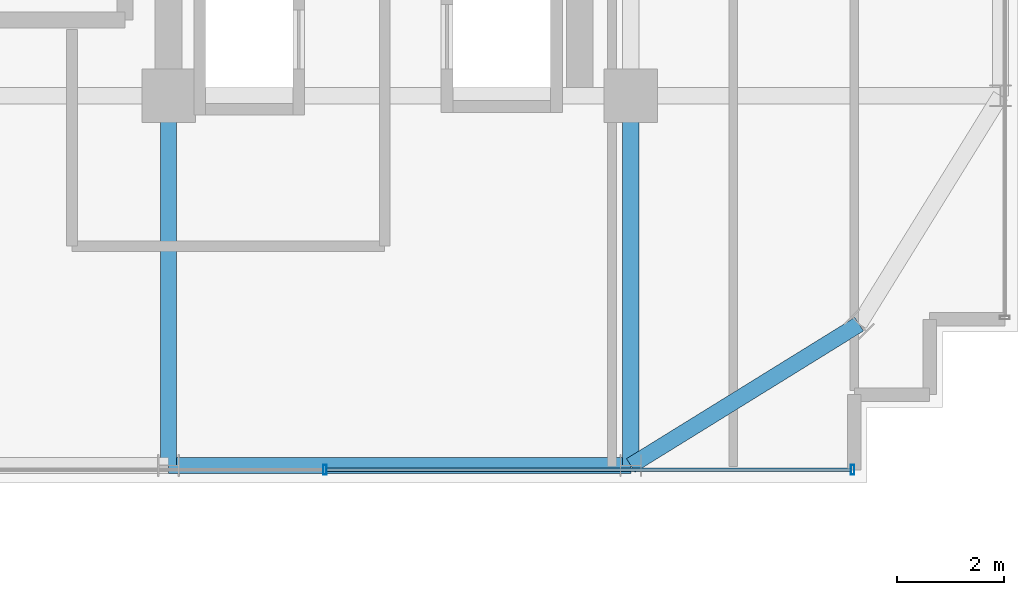
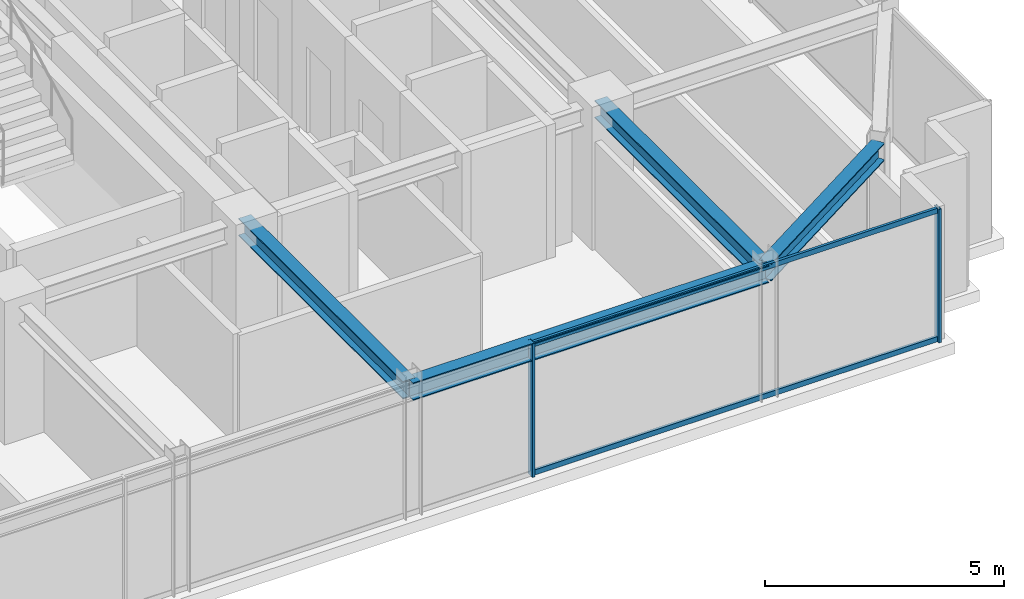
# One storey, part 12 of 36: 4 beams, 4 members, 1 element without a shape of its own.
"""IFC4 building model written with IfcOpenShell, lengths in metres."""

from ifc_helpers import new_model, si_unit, direction, frame, origin, origin_2d, place, context, subcontext, project, spatial, hollow_rectangle, i_section, extrude, source, transform, mapped, material, material_profile, profile_set, type_object, element, aggregate, save


model = new_model("IFC4")

# Units and contexts
model_context = context("Model", 3, precision=1e-05, world=origin(), true_north=direction((0.0, 1.0)))
body_context = subcontext(model_context, "Body", "Model", "MODEL_VIEW")
ifc_project = project(units=[si_unit("LENGTHUNIT", "METRE"), si_unit("AREAUNIT", "SQUARE_METRE"), si_unit("VOLUMEUNIT", "CUBIC_METRE"), si_unit("PLANEANGLEUNIT", "RADIAN"), si_unit("MASSUNIT", "GRAM", prefix="KILO")], contexts=[model_context])

# Site, building, storey
site_placement = place(None, origin())
site = spatial("IfcSite", under=ifc_project, at=site_placement, CompositionType="ELEMENT")
building_placement = place(site_placement, origin())
building = spatial("IfcBuilding", under=site, at=building_placement, Name="Nahalor Promenade Grand Hotel", CompositionType="ELEMENT")
storey_placement = place(building_placement, frame((0.0, 0.0, 223.39990234375)))
storey = spatial("IfcBuildingStorey", under=building, at=storey_placement, Name="L57", CompositionType="ELEMENT", Elevation=223.39990234375)

# Beams
ifc_material_1 = material(Name="Steel S355JR", Category="steel")
ifc_material_profile_1 = material_profile(ifc_material_1, i_section(OverallWidth=0.3, OverallDepth=0.45, WebThickness=0.014, FlangeThickness=0.026, at=origin_2d()), Name="HEB 450")
ifc_profile_set_1 = profile_set([ifc_material_profile_1], Name="Steel S355JR")
beam_type_1 = type_object("IfcBeamType", Name="Beam-Spandrel-HEB450", PredefinedType="SPANDREL", material=ifc_profile_set_1)
shared_shape_1 = source(origin(), body_context, "Body", "SweptSolid", [
    extrude(i_section(OverallWidth=0.3, OverallDepth=0.45, WebThickness=0.014, FlangeThickness=0.026, at=origin_2d()), origin(), (0.0, 0.0, 1.0), 8.60009765625),
])
beam_1_placement = place(storey_placement, frame((8.39990234375, -23.8798828125, 3.18505859375), z_axis=(1.0, 0.0, 0.0), x_axis=(0.0, 1.0, 0.0)))
element("IfcBeam", 1, at=beam_1_placement, inside=storey, type_object=beam_type_1, Name="BM-L57-SP-S-4", PredefinedType="SPANDREL", context=body_context, shape_type="MappedRepresentation", body=[
    mapped(shared_shape_1, transform((0.0, 0.0, 0.0), scale=1.0)),
])
shared_shape_2 = source(origin(), body_context, "Body", "SweptSolid", [
    extrude(i_section(OverallWidth=0.3, OverallDepth=0.45, WebThickness=0.014, FlangeThickness=0.026, at=origin_2d()), origin(), (0.0, 0.0, 1.0), 4.997802734375),
])
beam_2_placement = place(storey_placement, frame((17.0, -23.8798828125, 3.18505859375), z_axis=(0.850360908404, 0.526199891161, 0.0), x_axis=(-0.526199891161, 0.850360908404, 0.0)))
element("IfcBeam", 2, at=beam_2_placement, inside=storey, type_object=beam_type_1, Name="BM-L57-SPC-SE-1", PredefinedType="SPANDREL", context=body_context, shape_type="MappedRepresentation", body=[
    mapped(shared_shape_2, transform((0.0, 0.0, 0.0), scale=1.0)),
])
ifc_material_profile_2 = material_profile(ifc_material_1, i_section(OverallWidth=0.3, OverallDepth=0.45, WebThickness=0.014, FlangeThickness=0.026, at=origin_2d()), Name="HEB 450")
ifc_profile_set_2 = profile_set([ifc_material_profile_2], Name="Steel S355JR")
beam_type_2 = type_object("IfcBeamType", Name="Beam-Girder-HEB450", PredefinedType="BEAM", material=ifc_profile_set_2)
shared_shape_3 = source(origin(), body_context, "Body", "SweptSolid", [
    extrude(i_section(OverallWidth=0.3, OverallDepth=0.45, WebThickness=0.014, FlangeThickness=0.026, at=origin_2d()), origin(), (0.0, 0.0, 1.0), 6.8798828125),
])
for number, where, z_axis, x_axis, name in (
    (3, (8.39990234375, -23.8798828125, 3.18505859375), (0.0, 1.0, 0.0), (-1.0, 0.0, 0.0), "BM-L57-GY-4-0"),
    (4, (17.0, -23.8798828125, 3.18505859375), (0.0, 1.0, 0.0), (-1.0, 0.0, 0.0), "BM-L57-GY-5-0"),
):
    element("IfcBeam", number, at=place(storey_placement, frame(where, z_axis=z_axis, x_axis=x_axis)), inside=storey, type_object=beam_type_2, Name=name, PredefinedType="BEAM", context=body_context, shape_type="MappedRepresentation", body=[
        mapped(shared_shape_3, transform((0.0, 0.0, 0.0), scale=1.0)),
    ])

# Curtain wall, members
ifc_material_2 = material(Name="Anodised Bronze Aluminium EN AW-6063 T6", Category="aluminium")
curtain_wall_type = type_object("IfcCurtainWallType", Name="CW2 Typical Hotel Flush Bronze Unitised Curtain Wall", PredefinedType="USERDEFINED", material=ifc_material_2)
curtain_wall_placement = place(storey_placement, origin())
curtain_wall = element("IfcCurtainWall", 5, at=curtain_wall_placement, inside=storey, type_object=curtain_wall_type, Name="L57 Curtain Wall CW-L57-S-3", ObjectType="UNITISED_CURTAIN_WALL", PredefinedType="USERDEFINED")
ifc_material_profile_3 = material_profile(ifc_material_2, hollow_rectangle(XDim=0.065, YDim=0.18, WallThickness=0.004, at=origin_2d()), Name="CWM 65x180x4")
ifc_profile_set_3 = profile_set([ifc_material_profile_3], Name="Anodised Bronze Aluminium EN AW-6063 T6")
member_type_1 = type_object("IfcMemberType", Name="CWM2 Typical Bronze Mullion 65x180", PredefinedType="MULLION", material=ifc_profile_set_3)
shared_shape_4 = source(origin(), body_context, "Body", "SweptSolid", [
    extrude(hollow_rectangle(XDim=0.065, YDim=0.18, WallThickness=0.004, at=origin_2d()), origin(), (0.0, 0.0, 1.0), 3.41015625),
])
member_1_placement = place(storey_placement, frame((11.306640625, -23.9599609375, 0.0), z_axis=(0.0, 0.0, 1.0), x_axis=(1.0, 0.0, 0.0)))
member_1 = element("IfcMember", 6, at=member_1_placement, type_object=member_type_1, Name="CW-L57-S-3 Mullion 2", PredefinedType="MULLION", context=body_context, shape_type="MappedRepresentation", body=[
    mapped(shared_shape_4, transform((0.0, 0.0, 0.0), scale=1.0)),
])
member_2_placement = place(storey_placement, frame((21.12744140625, -23.9599609375, 0.0), z_axis=(0.0, 0.0, 1.0), x_axis=(1.0, 0.0, 0.0)))
member_2 = element("IfcMember", 7, at=member_2_placement, type_object=member_type_1, Name="CW-L57-S-3 Mullion 3", PredefinedType="MULLION", context=body_context, shape_type="MappedRepresentation", body=[
    mapped(shared_shape_4, transform((0.0, 0.0, 0.0), scale=1.0)),
])
ifc_material_profile_4 = material_profile(ifc_material_2, hollow_rectangle(XDim=0.065, YDim=0.13, WallThickness=0.004, at=origin_2d()), Name="CWT 65x130x4")
ifc_profile_set_4 = profile_set([ifc_material_profile_4], Name="Anodised Bronze Aluminium EN AW-6063 T6")
member_type_2 = type_object("IfcMemberType", Name="CWT2 Typical Bronze Transom 65x130", PredefinedType="USERDEFINED", material=ifc_profile_set_4)
shared_shape_5 = source(origin(), body_context, "Body", "SweptSolid", [
    extrude(hollow_rectangle(XDim=0.065, YDim=0.13, WallThickness=0.004, at=origin_2d()), origin(), (0.0, 0.0, 1.0), 9.755859375),
])
member_3_placement = place(storey_placement, frame((11.339111328125, -23.9599609375, 0.065185546875), z_axis=(1.0, 0.0, 0.0), x_axis=(0.0, 1.0, 0.0)))
member_3 = element("IfcMember", 8, at=member_3_placement, type_object=member_type_2, Name="CW-L57-S-3 Transom 2-0", ObjectType="TRANSOM", PredefinedType="USERDEFINED", context=body_context, shape_type="MappedRepresentation", body=[
    mapped(shared_shape_5, transform((0.0, 0.0, 0.0), scale=1.0)),
])
member_4_placement = place(storey_placement, frame((11.339111328125, -23.9599609375, 3.34521484375), z_axis=(1.0, 0.0, 0.0), x_axis=(0.0, 1.0, 0.0)))
member_4 = element("IfcMember", 9, at=member_4_placement, type_object=member_type_2, Name="CW-L57-S-3 Transom 2-1", ObjectType="TRANSOM", PredefinedType="USERDEFINED", context=body_context, shape_type="MappedRepresentation", body=[
    mapped(shared_shape_5, transform((0.0, 0.0, 0.0), scale=1.0)),
])
aggregate(curtain_wall, [member_1, member_2, member_3, member_4])

save(model, "model.ifc")
